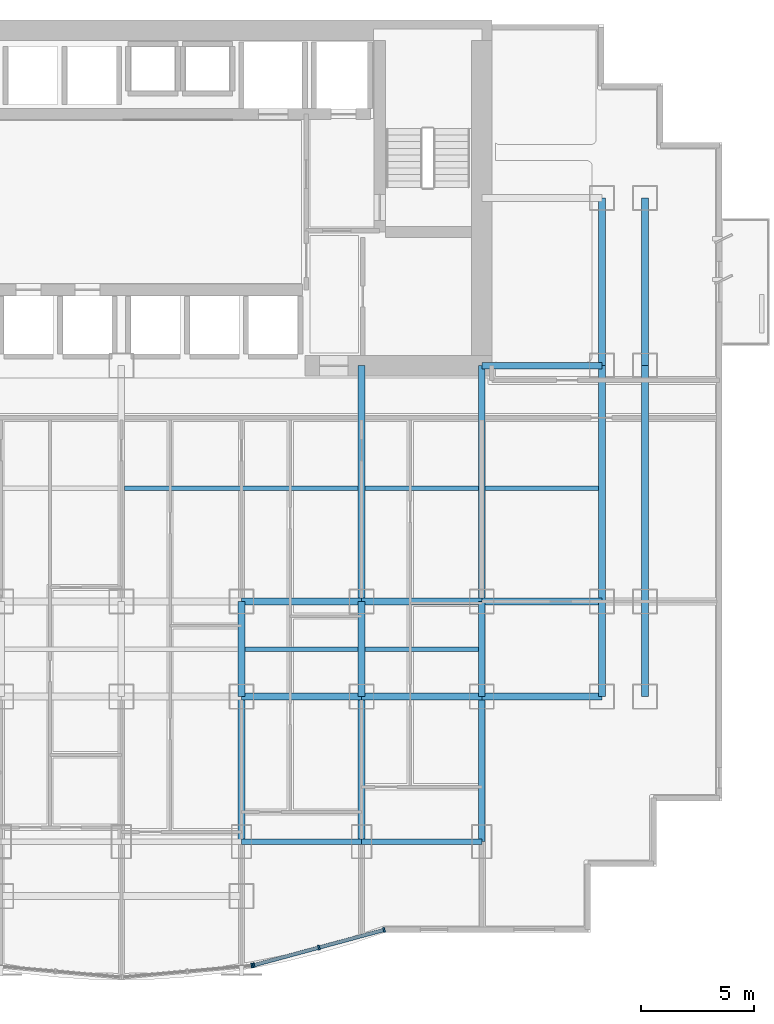
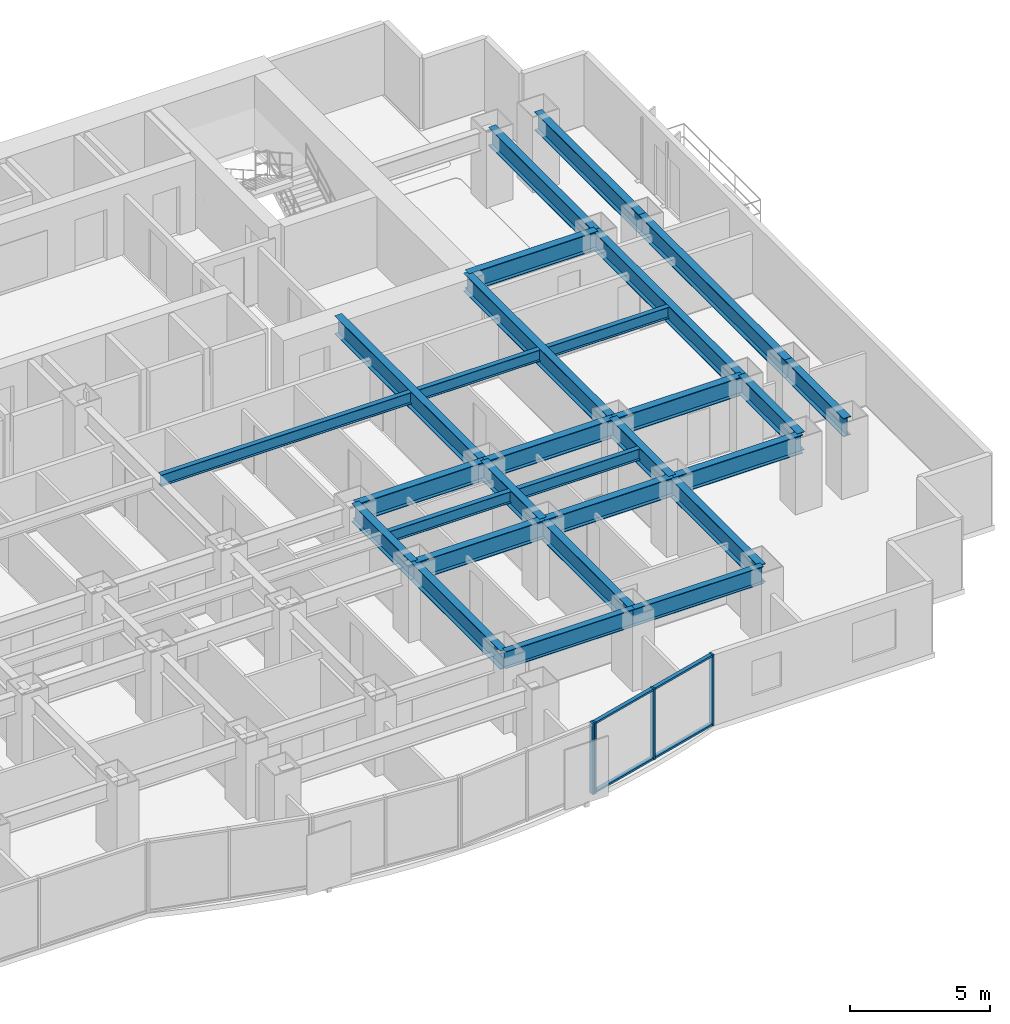
# One storey, part 3 of 10: 28 beams, 8 members, 2 elements without a shape of their own.
"""IFC4 building model written with IfcOpenShell, lengths in metres."""

from ifc_helpers import new_model, si_unit, direction, frame, origin, origin_2d, place, context, subcontext, project, spatial, rectangle, i_section, extrude, source, transform, mapped, material, layer, layer_set, material_profile, profile_set, type_object, element, aggregate, save


model = new_model("IFC4")

# Units and contexts
model_context = context("Model", 3, precision=1e-05, world=origin(), true_north=direction((0.0, 1.0)))
body_context = subcontext(model_context, "Body", "Model", "MODEL_VIEW")
ifc_project = project(units=[si_unit("LENGTHUNIT", "METRE"), si_unit("AREAUNIT", "SQUARE_METRE"), si_unit("VOLUMEUNIT", "CUBIC_METRE"), si_unit("PLANEANGLEUNIT", "RADIAN"), si_unit("MASSUNIT", "GRAM", prefix="KILO")], contexts=[model_context])

# Site, building, storey
site_placement = place(None, origin())
site = spatial("IfcSite", under=ifc_project, at=site_placement, CompositionType="ELEMENT")
building_placement = place(site_placement, origin())
building = spatial("IfcBuilding", under=site, at=building_placement, Name="Qianlan Lanfeng Residences", CompositionType="ELEMENT")
storey_placement = place(building_placement, frame((0.0, 0.0, 57.199951171875)))
storey = spatial("IfcBuildingStorey", under=building, at=storey_placement, Name="L15", CompositionType="ELEMENT", Elevation=57.199951171875)

# Beams
ifc_material_1 = material(Name="Steel SN490B", Category="steel")
ifc_material_profile_1 = material_profile(ifc_material_1, i_section(OverallWidth=0.300048828125, OverallDepth=0.800048828125, WebThickness=0.01611328125, FlangeThickness=0.028076171875, at=origin_2d()), Name="H 800x300x16x28")
ifc_profile_set_1 = profile_set([ifc_material_profile_1], Name="Steel SN490B")
beam_type_1 = type_object("IfcBeamType", Name="G-950", PredefinedType="BEAM", material=ifc_profile_set_1)
beam_1_placement = place(storey_placement, frame((31.800048828125, 10.60009765625, 2.679931640625), z_axis=(1.0, 0.0, 0.0), x_axis=(0.0, 1.0, 0.0)))
element("IfcBeam", 1, at=beam_1_placement, inside=storey, type_object=beam_type_1, Name="Structural beam G-950", PredefinedType="BEAM", context=body_context, shape_type="SweptSolid", body=[
    extrude(i_section(OverallWidth=0.300048828125, OverallDepth=0.800048828125, WebThickness=0.01611328125, FlangeThickness=0.028076171875, at=origin_2d()), origin(), (0.0, 0.0, 1.0), 5.300048828125),
])
beam_2_placement = place(storey_placement, frame((37.10009765625, 10.60009765625, 2.679931640625), z_axis=(1.0, 0.0, 0.0), x_axis=(0.0, 1.0, 0.0)))
element("IfcBeam", 2, at=beam_2_placement, inside=storey, type_object=beam_type_1, Name="Structural beam G-950", PredefinedType="BEAM", context=body_context, shape_type="SweptSolid", body=[
    extrude(i_section(OverallWidth=0.300048828125, OverallDepth=0.800048828125, WebThickness=0.01611328125, FlangeThickness=0.028076171875, at=origin_2d()), origin(), (0.0, 0.0, 1.0), 5.2998046875),
])
for number, where, z_axis, x_axis, name in (
    (3, (42.39990234375, 10.60009765625, 2.679931640625), (1.0, 0.0, 0.0), (0.0, 1.0, 0.0), "Structural beam G-950"),
    (4, (31.800048828125, 14.800048828125, 2.679931640625), (1.0, 0.0, 0.0), (0.0, 1.0, 0.0), "Structural beam G-950"),
):
    element("IfcBeam", number, at=place(storey_placement, frame(where, z_axis=z_axis, x_axis=x_axis)), inside=storey, type_object=beam_type_1, Name=name, PredefinedType="BEAM", context=body_context, shape_type="SweptSolid", body=[
        extrude(i_section(OverallWidth=0.300048828125, OverallDepth=0.800048828125, WebThickness=0.01611328125, FlangeThickness=0.028076171875, at=origin_2d()), origin(), (0.0, 0.0, 1.0), 5.300048828125),
    ])
beam_3_placement = place(storey_placement, frame((37.10009765625, 14.800048828125, 2.679931640625), z_axis=(1.0, 0.0, 0.0), x_axis=(0.0, 1.0, 0.0)))
element("IfcBeam", 5, at=beam_3_placement, inside=storey, type_object=beam_type_1, Name="Structural beam G-950", PredefinedType="BEAM", context=body_context, shape_type="SweptSolid", body=[
    extrude(i_section(OverallWidth=0.300048828125, OverallDepth=0.800048828125, WebThickness=0.01611328125, FlangeThickness=0.028076171875, at=origin_2d()), origin(), (0.0, 0.0, 1.0), 5.2998046875),
])
for number, where, z_axis, x_axis, name in (
    (6, (42.39990234375, 14.800048828125, 2.679931640625), (1.0, 0.0, 0.0), (0.0, 1.0, 0.0), "Structural beam G-950"),
    (7, (42.39990234375, 25.199951171875, 2.679931640625), (1.0, 0.0, 0.0), (0.0, 1.0, 0.0), "Structural beam G-950"),
):
    element("IfcBeam", number, at=place(storey_placement, frame(where, z_axis=z_axis, x_axis=x_axis)), inside=storey, type_object=beam_type_1, Name=name, PredefinedType="BEAM", context=body_context, shape_type="SweptSolid", body=[
        extrude(i_section(OverallWidth=0.300048828125, OverallDepth=0.800048828125, WebThickness=0.01611328125, FlangeThickness=0.028076171875, at=origin_2d()), origin(), (0.0, 0.0, 1.0), 5.300048828125),
    ])
beam_4_placement = place(storey_placement, frame((31.800048828125, 4.199951171875, 2.679931640625), z_axis=(0.0, 1.0, 0.0), x_axis=(-1.0, 0.0, 0.0)))
element("IfcBeam", 8, at=beam_4_placement, inside=storey, type_object=beam_type_1, Name="Structural beam G-950", PredefinedType="BEAM", context=body_context, shape_type="SweptSolid", body=[
    extrude(i_section(OverallWidth=0.300048828125, OverallDepth=0.800048828125, WebThickness=0.01611328125, FlangeThickness=0.028076171875, at=origin_2d()), origin(), (0.0, 0.0, 1.0), 6.400146484375),
])
beam_5_placement = place(storey_placement, frame((31.800048828125, 10.60009765625, 2.679931640625), z_axis=(0.0, 1.0, 0.0), x_axis=(-1.0, 0.0, 0.0)))
element("IfcBeam", 9, at=beam_5_placement, inside=storey, type_object=beam_type_1, Name="Structural beam G-950", PredefinedType="BEAM", context=body_context, shape_type="SweptSolid", body=[
    extrude(i_section(OverallWidth=0.300048828125, OverallDepth=0.800048828125, WebThickness=0.01611328125, FlangeThickness=0.028076171875, at=origin_2d()), origin(), (0.0, 0.0, 1.0), 4.199951171875),
])
beam_6_placement = place(storey_placement, frame((37.10009765625, 4.199951171875, 2.679931640625), z_axis=(0.0, 1.0, 0.0), x_axis=(-1.0, 0.0, 0.0)))
element("IfcBeam", 10, at=beam_6_placement, inside=storey, type_object=beam_type_1, Name="Structural beam G-950", PredefinedType="BEAM", context=body_context, shape_type="SweptSolid", body=[
    extrude(i_section(OverallWidth=0.300048828125, OverallDepth=0.800048828125, WebThickness=0.01611328125, FlangeThickness=0.028076171875, at=origin_2d()), origin(), (0.0, 0.0, 1.0), 6.400146484375),
])
beam_7_placement = place(storey_placement, frame((37.10009765625, 10.60009765625, 2.679931640625), z_axis=(0.0, 1.0, 0.0), x_axis=(-1.0, 0.0, 0.0)))
element("IfcBeam", 11, at=beam_7_placement, inside=storey, type_object=beam_type_1, Name="Structural beam G-950", PredefinedType="BEAM", context=body_context, shape_type="SweptSolid", body=[
    extrude(i_section(OverallWidth=0.300048828125, OverallDepth=0.800048828125, WebThickness=0.01611328125, FlangeThickness=0.028076171875, at=origin_2d()), origin(), (0.0, 0.0, 1.0), 4.199951171875),
])
beam_8_placement = place(storey_placement, frame((37.10009765625, 14.800048828125, 2.679931640625), z_axis=(0.0, 1.0, 0.0), x_axis=(-1.0, 0.0, 0.0)))
element("IfcBeam", 12, at=beam_8_placement, inside=storey, type_object=beam_type_1, Name="Structural beam G-950", PredefinedType="BEAM", context=body_context, shape_type="SweptSolid", body=[
    extrude(i_section(OverallWidth=0.300048828125, OverallDepth=0.800048828125, WebThickness=0.01611328125, FlangeThickness=0.028076171875, at=origin_2d()), origin(), (0.0, 0.0, 1.0), 10.39990234375),
])
beam_9_placement = place(storey_placement, frame((42.39990234375, 4.199951171875, 2.679931640625), z_axis=(0.0, 1.0, 0.0), x_axis=(-1.0, 0.0, 0.0)))
element("IfcBeam", 13, at=beam_9_placement, inside=storey, type_object=beam_type_1, Name="Structural beam G-950", PredefinedType="BEAM", context=body_context, shape_type="SweptSolid", body=[
    extrude(i_section(OverallWidth=0.300048828125, OverallDepth=0.800048828125, WebThickness=0.01611328125, FlangeThickness=0.028076171875, at=origin_2d()), origin(), (0.0, 0.0, 1.0), 6.400146484375),
])
beam_10_placement = place(storey_placement, frame((42.39990234375, 10.60009765625, 2.679931640625), z_axis=(0.0, 1.0, 0.0), x_axis=(-1.0, 0.0, 0.0)))
element("IfcBeam", 14, at=beam_10_placement, inside=storey, type_object=beam_type_1, Name="Structural beam G-950", PredefinedType="BEAM", context=body_context, shape_type="SweptSolid", body=[
    extrude(i_section(OverallWidth=0.300048828125, OverallDepth=0.800048828125, WebThickness=0.01611328125, FlangeThickness=0.028076171875, at=origin_2d()), origin(), (0.0, 0.0, 1.0), 4.199951171875),
])
beam_11_placement = place(storey_placement, frame((42.39990234375, 14.800048828125, 2.679931640625), z_axis=(0.0, 1.0, 0.0), x_axis=(-1.0, 0.0, 0.0)))
element("IfcBeam", 15, at=beam_11_placement, inside=storey, type_object=beam_type_1, Name="Structural beam G-950", PredefinedType="BEAM", context=body_context, shape_type="SweptSolid", body=[
    extrude(i_section(OverallWidth=0.300048828125, OverallDepth=0.800048828125, WebThickness=0.01611328125, FlangeThickness=0.028076171875, at=origin_2d()), origin(), (0.0, 0.0, 1.0), 10.39990234375),
])
beam_12_placement = place(storey_placement, frame((47.699951171875, 10.60009765625, 2.679931640625), z_axis=(0.0, 1.0, 0.0), x_axis=(-1.0, 0.0, 0.0)))
element("IfcBeam", 16, at=beam_12_placement, inside=storey, type_object=beam_type_1, Name="Structural beam G-950", PredefinedType="BEAM", context=body_context, shape_type="SweptSolid", body=[
    extrude(i_section(OverallWidth=0.300048828125, OverallDepth=0.800048828125, WebThickness=0.01611328125, FlangeThickness=0.028076171875, at=origin_2d()), origin(), (0.0, 0.0, 1.0), 4.199951171875),
])
beam_13_placement = place(storey_placement, frame((47.699951171875, 14.800048828125, 2.679931640625), z_axis=(0.0, 1.0, 0.0), x_axis=(-1.0, 0.0, 0.0)))
element("IfcBeam", 17, at=beam_13_placement, inside=storey, type_object=beam_type_1, Name="Structural beam G-950", PredefinedType="BEAM", context=body_context, shape_type="SweptSolid", body=[
    extrude(i_section(OverallWidth=0.300048828125, OverallDepth=0.800048828125, WebThickness=0.01611328125, FlangeThickness=0.028076171875, at=origin_2d()), origin(), (0.0, 0.0, 1.0), 10.39990234375),
])
beam_14_placement = place(storey_placement, frame((47.699951171875, 25.199951171875, 2.679931640625), z_axis=(0.0, 1.0, 0.0), x_axis=(-1.0, 0.0, 0.0)))
element("IfcBeam", 18, at=beam_14_placement, inside=storey, type_object=beam_type_1, Name="Structural beam G-950", PredefinedType="BEAM", context=body_context, shape_type="SweptSolid", body=[
    extrude(i_section(OverallWidth=0.300048828125, OverallDepth=0.800048828125, WebThickness=0.01611328125, FlangeThickness=0.028076171875, at=origin_2d()), origin(), (0.0, 0.0, 1.0), 7.400146484375),
])
beam_15_placement = place(storey_placement, frame((49.60009765625, 10.60009765625, 2.679931640625), z_axis=(0.0, 1.0, 0.0), x_axis=(-1.0, 0.0, 0.0)))
element("IfcBeam", 19, at=beam_15_placement, inside=storey, type_object=beam_type_1, Name="Structural beam G-950", PredefinedType="BEAM", context=body_context, shape_type="SweptSolid", body=[
    extrude(i_section(OverallWidth=0.300048828125, OverallDepth=0.800048828125, WebThickness=0.01611328125, FlangeThickness=0.028076171875, at=origin_2d()), origin(), (0.0, 0.0, 1.0), 4.199951171875),
])
beam_16_placement = place(storey_placement, frame((49.60009765625, 14.800048828125, 2.679931640625), z_axis=(0.0, 1.0, 0.0), x_axis=(-1.0, 0.0, 0.0)))
element("IfcBeam", 20, at=beam_16_placement, inside=storey, type_object=beam_type_1, Name="Structural beam G-950", PredefinedType="BEAM", context=body_context, shape_type="SweptSolid", body=[
    extrude(i_section(OverallWidth=0.300048828125, OverallDepth=0.800048828125, WebThickness=0.01611328125, FlangeThickness=0.028076171875, at=origin_2d()), origin(), (0.0, 0.0, 1.0), 10.39990234375),
])
beam_17_placement = place(storey_placement, frame((49.60009765625, 25.199951171875, 2.679931640625), z_axis=(0.0, 1.0, 0.0), x_axis=(-1.0, 0.0, 0.0)))
element("IfcBeam", 21, at=beam_17_placement, inside=storey, type_object=beam_type_1, Name="Structural beam G-950", PredefinedType="BEAM", context=body_context, shape_type="SweptSolid", body=[
    extrude(i_section(OverallWidth=0.300048828125, OverallDepth=0.800048828125, WebThickness=0.01611328125, FlangeThickness=0.028076171875, at=origin_2d()), origin(), (0.0, 0.0, 1.0), 7.400146484375),
])
ifc_material_profile_2 = material_profile(ifc_material_1, i_section(OverallWidth=0.199951171875, OverallDepth=0.5, WebThickness=0.010009765625, FlangeThickness=0.01611328125, at=origin_2d()), Name="H 500x200x10x16")
ifc_profile_set_2 = profile_set([ifc_material_profile_2], Name="Steel SN490B")
beam_type_2 = type_object("IfcBeamType", Name="J-500", PredefinedType="JOIST", material=ifc_profile_set_2)
for number, where, z_axis, x_axis, name in (
    (22, (31.949951171875, 12.699951171875, 2.830078125), (1.0, 0.0, 0.0), (0.0, 1.0, 0.0), "Structural beam J-500"),
    (23, (37.25, 12.699951171875, 2.830078125), (1.0, 0.0, 0.0), (0.0, 1.0, 0.0), "Structural beam J-500"),
):
    element("IfcBeam", number, at=place(storey_placement, frame(where, z_axis=z_axis, x_axis=x_axis)), inside=storey, type_object=beam_type_2, Name=name, PredefinedType="JOIST", context=body_context, shape_type="SweptSolid", body=[
        extrude(i_section(OverallWidth=0.199951171875, OverallDepth=0.5, WebThickness=0.010009765625, FlangeThickness=0.01611328125, at=origin_2d()), origin(), (0.0, 0.0, 1.0), 5.0),
    ])
beam_18_placement = place(storey_placement, frame((26.64990234375, 19.800048828125, 2.830078125), z_axis=(1.0, 0.0, 0.0), x_axis=(0.0, 1.0, 0.0)))
element("IfcBeam", 24, at=beam_18_placement, inside=storey, type_object=beam_type_2, Name="Structural beam J-500", PredefinedType="JOIST", context=body_context, shape_type="SweptSolid", body=[
    extrude(i_section(OverallWidth=0.199951171875, OverallDepth=0.5, WebThickness=0.010009765625, FlangeThickness=0.01611328125, at=origin_2d()), origin(), (0.0, 0.0, 1.0), 10.300048828125),
])
for number, where, z_axis, x_axis, name in (
    (25, (37.25, 19.800048828125, 2.830078125), (1.0, 0.0, 0.0), (0.0, 1.0, 0.0), "Structural beam J-500"),
    (26, (42.550048828125, 19.800048828125, 2.830078125), (1.0, 0.0, 0.0), (0.0, 1.0, 0.0), "Structural beam J-500"),
):
    element("IfcBeam", number, at=place(storey_placement, frame(where, z_axis=z_axis, x_axis=x_axis)), inside=storey, type_object=beam_type_2, Name=name, PredefinedType="JOIST", context=body_context, shape_type="SweptSolid", body=[
        extrude(i_section(OverallWidth=0.199951171875, OverallDepth=0.5, WebThickness=0.010009765625, FlangeThickness=0.01611328125, at=origin_2d()), origin(), (0.0, 0.0, 1.0), 5.0),
    ])
ifc_material_profile_3 = material_profile(ifc_material_1, i_section(OverallWidth=0.25, OverallDepth=0.75, WebThickness=0.013916015625, FlangeThickness=0.02490234375, at=origin_2d()), Name="H 750x250x14x25")
ifc_profile_set_3 = profile_set([ifc_material_profile_3], Name="Steel SN490B")
beam_type_3 = type_object("IfcBeamType", Name="SG-850", PredefinedType="SPANDREL", material=ifc_profile_set_3)
beam_19_placement = place(storey_placement, frame((31.800048828125, 4.199951171875, 2.705078125), z_axis=(1.0, 0.0, 0.0), x_axis=(0.0, 1.0, 0.0)))
element("IfcBeam", 27, at=beam_19_placement, inside=storey, type_object=beam_type_3, Name="Structural beam SG-850", PredefinedType="SPANDREL", context=body_context, shape_type="SweptSolid", body=[
    extrude(i_section(OverallWidth=0.25, OverallDepth=0.75, WebThickness=0.013916015625, FlangeThickness=0.02490234375, at=origin_2d()), origin(), (0.0, 0.0, 1.0), 5.300048828125),
])
beam_20_placement = place(storey_placement, frame((37.10009765625, 4.199951171875, 2.705078125), z_axis=(1.0, 0.0, 0.0), x_axis=(0.0, 1.0, 0.0)))
element("IfcBeam", 28, at=beam_20_placement, inside=storey, type_object=beam_type_3, Name="Structural beam SG-850", PredefinedType="SPANDREL", context=body_context, shape_type="SweptSolid", body=[
    extrude(i_section(OverallWidth=0.25, OverallDepth=0.75, WebThickness=0.013916015625, FlangeThickness=0.02490234375, at=origin_2d()), origin(), (0.0, 0.0, 1.0), 5.2998046875),
])

# Curtain wall, member
ifc_material_2 = material(Name="Anodised Bronze Aluminium 6063-T6", Category="aluminium")
ifc_layer = layer(ifc_material_2, 0.219970703125)
ifc_layer_set = layer_set([ifc_layer], Name="Anodised Bronze Aluminium 6063-T6")
curtain_wall_type = type_object("IfcCurtainWallType", Name="CW-02", PredefinedType="NOTDEFINED", material=ifc_layer_set)
curtain_wall_1_placement = place(storey_placement, origin())
curtain_wall_1 = element("IfcCurtainWall", 29, at=curtain_wall_1_placement, inside=storey, type_object=curtain_wall_type, Name="L15 Unitised Curtain Wall CWR-L15-04 (CW-02)", PredefinedType="NOTDEFINED")
ifc_material_profile_4 = material_profile(ifc_material_2, rectangle(XDim=0.080078125, YDim=0.2099609375, at=origin_2d()), Name="ALU MULLION 80x210")
ifc_profile_set_4 = profile_set([ifc_material_profile_4], Name="Anodised Bronze Aluminium 6063-T6")
member_type_1 = type_object("IfcMemberType", Name="CWM-220", PredefinedType="MULLION", material=ifc_profile_set_4)
shared_shape_1 = source(origin(), body_context, "Body", "SweptSolid", [
    extrude(rectangle(XDim=0.080078125, YDim=0.2099609375, at=origin_2d()), origin(), (0.0, 0.0, 1.0), 3.080078125),
])
member_1_placement = place(storey_placement, frame((32.26416015625, -1.260498046875, 0.0), z_axis=(0.0, 0.0, 1.0), x_axis=(0.995964677764, 0.089746089862, 0.0)))
member_1 = element("IfcMember", 30, at=member_1_placement, type_object=member_type_1, Name="CWR-L15-04 Mullion 3", PredefinedType="MULLION", context=body_context, shape_type="MappedRepresentation", body=[
    mapped(shared_shape_1, transform((0.0, 0.0, 0.0), scale=1.0)),
])
aggregate(curtain_wall_1, [member_1])

# Curtain wall, members
curtain_wall_2_placement = place(storey_placement, origin())
curtain_wall_2 = element("IfcCurtainWall", 31, at=curtain_wall_2_placement, inside=storey, type_object=curtain_wall_type, Name="L15 Unitised Curtain Wall CWR-L15-05 (CW-02)", PredefinedType="NOTDEFINED")
member_2_placement = place(storey_placement, frame((32.342529296875, -1.24658203125, 0.0), z_axis=(0.0, 0.0, 1.0), x_axis=(0.9652627173, 0.261281240412, 0.0)))
member_2 = element("IfcMember", 32, at=member_2_placement, type_object=member_type_1, Name="CWR-L15-05 Mullion 1", PredefinedType="MULLION", context=body_context, shape_type="MappedRepresentation", body=[
    mapped(shared_shape_1, transform((0.0, 0.0, 0.0), scale=1.0)),
])
member_3_placement = place(storey_placement, frame((35.217041015625, -0.468505859375, 0.0), z_axis=(0.0, 0.0, 1.0), x_axis=(0.9652627173, 0.261281240412, 0.0)))
member_3 = element("IfcMember", 33, at=member_3_placement, type_object=member_type_1, Name="CWR-L15-05 Mullion 2", PredefinedType="MULLION", context=body_context, shape_type="MappedRepresentation", body=[
    mapped(shared_shape_1, transform((0.0, 0.0, 0.0), scale=1.0)),
])
member_4_placement = place(storey_placement, frame((38.09130859375, 0.3095703125, 0.0), z_axis=(0.0, 0.0, 1.0), x_axis=(0.9652627173, 0.261281240412, 0.0)))
member_4 = element("IfcMember", 34, at=member_4_placement, type_object=member_type_1, Name="CWR-L15-05 Mullion 3", PredefinedType="MULLION", context=body_context, shape_type="MappedRepresentation", body=[
    mapped(shared_shape_1, transform((0.0, 0.0, 0.0), scale=1.0)),
])
ifc_material_profile_5 = material_profile(ifc_material_2, rectangle(XDim=0.080078125, YDim=0.159912109375, at=origin_2d()), Name="ALU TRANSOM 80x160")
ifc_profile_set_5 = profile_set([ifc_material_profile_5], Name="Anodised Bronze Aluminium 6063-T6")
member_type_2 = type_object("IfcMemberType", Name="CWT-180", PredefinedType="USERDEFINED", material=ifc_profile_set_5)
shared_shape_2 = source(origin(), body_context, "Body", "SweptSolid", [
    extrude(rectangle(XDim=0.080078125, YDim=0.159912109375, at=origin_2d()), origin(), (0.0, 0.0, 1.0), 2.897705078125),
])
member_5_placement = place(storey_placement, frame((35.255615234375, -0.4580078125, 0.0400390625), z_axis=(0.965267548724, 0.261263390817, 0.0), x_axis=(0.0, 0.0, 1.0)))
member_5 = element("IfcMember", 35, at=member_5_placement, type_object=member_type_2, Name="CWR-L15-05 Transom 2-BOT", ObjectType="TRANSOM", PredefinedType="USERDEFINED", context=body_context, shape_type="MappedRepresentation", body=[
    mapped(shared_shape_2, transform((0.0, 0.0, 0.0), scale=1.0)),
])
member_6_placement = place(storey_placement, frame((35.255615234375, -0.4580078125, 3.0400390625), z_axis=(0.965267548724, 0.261263390817, 0.0), x_axis=(0.0, 0.0, 1.0)))
member_6 = element("IfcMember", 36, at=member_6_placement, type_object=member_type_2, Name="CWR-L15-05 Transom 2-TOP", ObjectType="TRANSOM", PredefinedType="USERDEFINED", context=body_context, shape_type="MappedRepresentation", body=[
    mapped(shared_shape_2, transform((0.0, 0.0, 0.0), scale=1.0)),
])
shared_shape_3 = source(origin(), body_context, "Body", "SweptSolid", [
    extrude(rectangle(XDim=0.080078125, YDim=0.159912109375, at=origin_2d()), origin(), (0.0, 0.0, 1.0), 2.89794921875),
])
member_7_placement = place(storey_placement, frame((32.381103515625, -1.236083984375, 0.0400390625), z_axis=(0.965273298897, 0.261242145215, 0.0), x_axis=(0.0, 0.0, 1.0)))
member_7 = element("IfcMember", 37, at=member_7_placement, type_object=member_type_2, Name="CWR-L15-05 Transom 1-BOT", ObjectType="TRANSOM", PredefinedType="USERDEFINED", context=body_context, shape_type="MappedRepresentation", body=[
    mapped(shared_shape_3, transform((0.0, 0.0, 0.0), scale=1.0)),
])
member_8_placement = place(storey_placement, frame((32.381103515625, -1.236083984375, 3.0400390625), z_axis=(0.965273298897, 0.261242145215, 0.0), x_axis=(0.0, 0.0, 1.0)))
member_8 = element("IfcMember", 38, at=member_8_placement, type_object=member_type_2, Name="CWR-L15-05 Transom 1-TOP", ObjectType="TRANSOM", PredefinedType="USERDEFINED", context=body_context, shape_type="MappedRepresentation", body=[
    mapped(shared_shape_3, transform((0.0, 0.0, 0.0), scale=1.0)),
])
aggregate(curtain_wall_2, [member_2, member_3, member_4, member_7, member_8, member_5, member_6])

save(model, "model.ifc")
